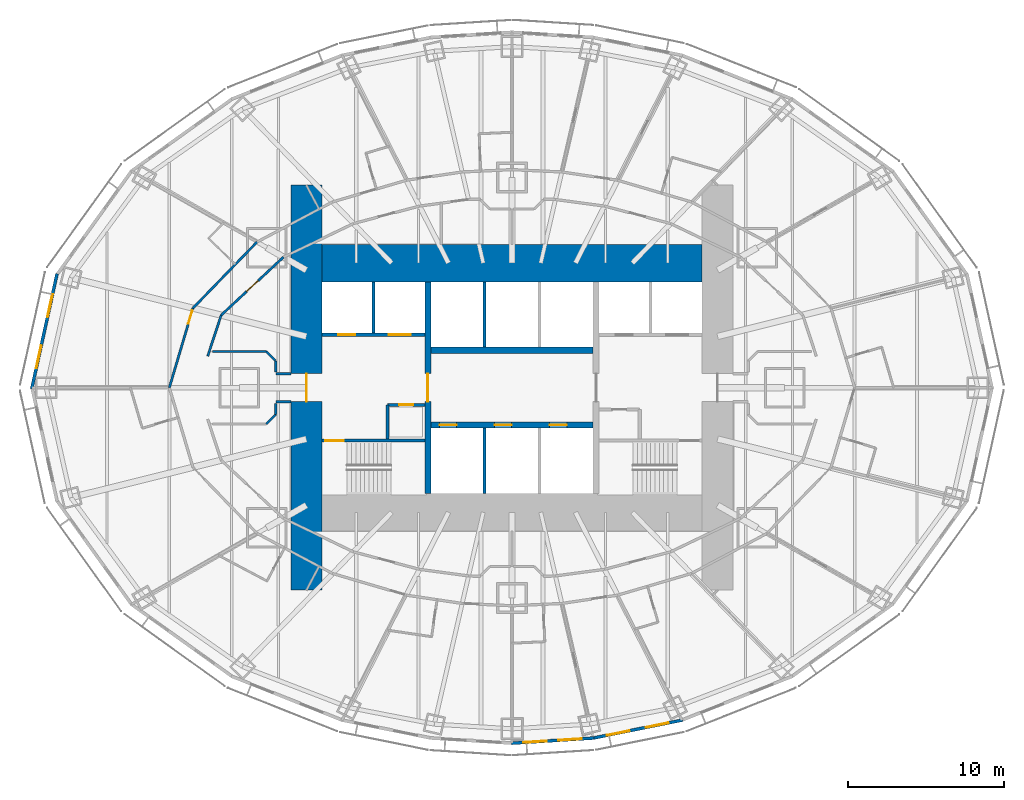
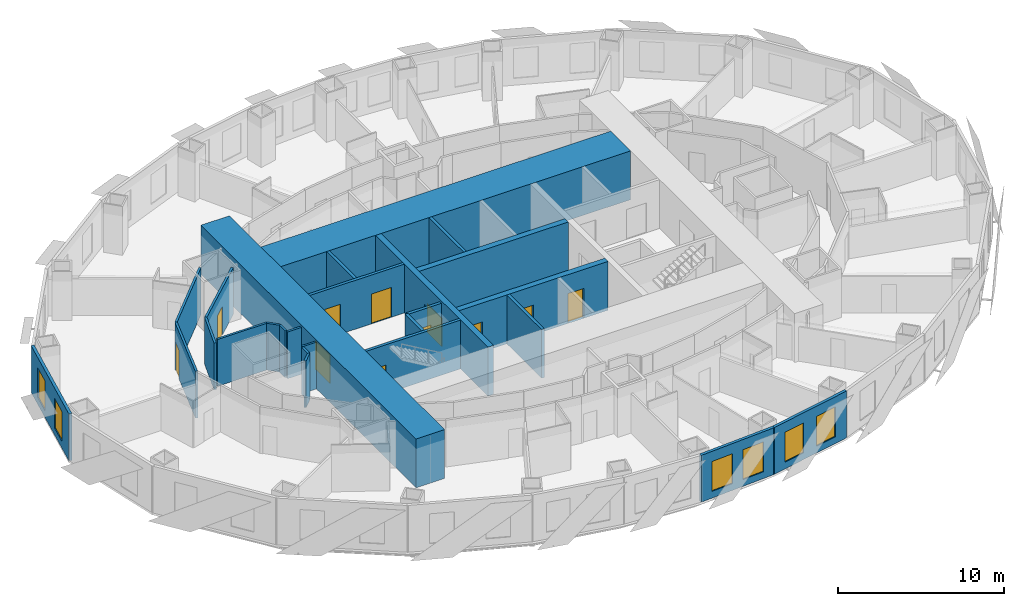
# One storey, part 6 of 15: 26 walls, 11 doors, 6 windows, 17 openings.
"""IFC4 building model written with IfcOpenShell, lengths in metres."""

from ifc_helpers import new_model, si_unit, direction, frame, frame_2d, origin, place, context, subcontext, project, spatial, rectangle, extrude, material, layer, layer_set, type_object, element, fill, save


model = new_model("IFC4")

# Units and contexts
model_context = context("Model", 3, precision=1e-05, world=origin(), true_north=direction((0.0, 1.0)))
body_context = subcontext(model_context, "Body", "Model", "MODEL_VIEW")
ifc_project = project(units=[si_unit("LENGTHUNIT", "METRE"), si_unit("AREAUNIT", "SQUARE_METRE"), si_unit("VOLUMEUNIT", "CUBIC_METRE"), si_unit("PLANEANGLEUNIT", "RADIAN"), si_unit("MASSUNIT", "GRAM", prefix="KILO")], contexts=[model_context])

# Site, building, storey
site_placement = place(None, origin())
site = spatial("IfcSite", under=ifc_project, at=site_placement, CompositionType="ELEMENT")
building_placement = place(site_placement, origin())
building = spatial("IfcBuilding", under=site, at=building_placement, Name="Lantaw Convention Tower", CompositionType="ELEMENT")
storey_placement = place(building_placement, frame((0.0, 0.0, 73.0)))
storey = spatial("IfcBuildingStorey", under=building, at=storey_placement, Name="L16", CompositionType="ELEMENT", Elevation=73.0)

# Wall, opening, door
ifc_material_1 = material(Name="Concrete C60/75", Category="concrete")
ifc_layer_1 = layer(ifc_material_1, 0.199951171875)
ifc_layer_set_1 = layer_set([ifc_layer_1], Name="Core wall 200")
wall_type_1 = type_object("IfcWallType", Name="Core wall 200", PredefinedType="SHEAR", material=ifc_layer_set_1)
wall_1_placement = place(storey_placement, frame((-5.60009765625, -3.39990234375, 0.0), z_axis=(0.0, 0.0, 1.0), x_axis=(-1.0, 0.0, 0.0)))
wall_1 = element("IfcWall", 1, at=wall_1_placement, inside=storey, type_object=wall_type_1, Name="Core wall WS", PredefinedType="SHEAR", context=body_context, shape_type="SweptSolid", body=[
    extrude(rectangle(XDim=6.599853515625, YDim=0.199951171875, at=frame_2d((3.2998046875, 0.0))), origin(), (0.0, 0.0, 1.0), 3.60009765625),
])
opening_1_placement = place(wall_1_placement, frame((5.199951171875, 0.0, 0.0)))
opening_1 = element("IfcOpeningElement", 2, at=opening_1_placement, cuts=wall_1, Name="Opening L16.06", PredefinedType="OPENING", context=body_context, shape_type="SweptSolid", body=[
    extrude(rectangle(XDim=1.199951171875, YDim=2.10009765625, at=frame_2d((0.60009765625, 1.050048828125))), frame((0.0, 0.10986328125, 0.0), z_axis=(0.0, -1.0, 0.0), x_axis=(1.0, 0.0, 0.0)), (0.0, 0.0, 1.0), 0.219970703125),
])
ifc_material_2 = material(Name="Steel, fire rated", Category="steel")
door_type_1 = type_object("IfcDoorType", Name="Stair door FD90", OperationType="SINGLE_SWING_RIGHT", PredefinedType="DOOR", material=ifc_material_2)
door_1_placement = place(opening_1_placement, origin())
door_1 = element("IfcDoor", 3, at=door_1_placement, inside=storey, type_object=door_type_1, Name="Exit stair door", OperationType="SINGLE_SWING_RIGHT", OverallHeight=2.10009765625, OverallWidth=1.199951171875, PredefinedType="DOOR", context=body_context, shape_type="SweptSolid", body=[
    extrude(rectangle(XDim=1.199951171875, YDim=2.10009765625, at=frame_2d((0.60009765625, 1.050048828125))), frame((0.0, 0.02490234375, 0.0), z_axis=(0.0, -1.0, 0.0), x_axis=(1.0, 0.0, 0.0)), (0.0, 0.0, 1.0), 0.050048828125),
])
fill(opening_1, door_1)

ifc_layer_2 = layer(ifc_material_1, 2.0)
ifc_layer_set_2 = layer_set([ifc_layer_2], Name="Core wall 2000")
wall_type_2 = type_object("IfcWallType", Name="Core wall 2000", PredefinedType="SHEAR", material=ifc_layer_set_2)
wall_2_placement = place(storey_placement, frame((-13.199951171875, 13.0, 0.0), z_axis=(0.0, 0.0, 1.0), x_axis=(0.0, -1.0, 0.0)))
wall_2 = element("IfcWall", 4, at=wall_2_placement, inside=storey, type_object=wall_type_2, Name="Core wall W", PredefinedType="SHEAR", context=body_context, shape_type="SweptSolid", body=[
    extrude(rectangle(XDim=26.0, YDim=2.0, at=frame_2d((13.0, 0.0))), origin(), (0.0, 0.0, 1.0), 3.60009765625),
])
opening_2_placement = place(wall_2_placement, frame((12.10009765625, 0.0, 0.0)))
opening_2 = element("IfcOpeningElement", 5, at=opening_2_placement, cuts=wall_2, Name="Opening L16.08", PredefinedType="OPENING", context=body_context, shape_type="SweptSolid", body=[
    extrude(rectangle(XDim=1.800048828125, YDim=2.10009765625, at=frame_2d((0.89990234375, 1.050048828125))), frame((0.0, 1.010009765625, 0.0), z_axis=(0.0, -1.0, 0.0), x_axis=(1.0, 0.0, 0.0)), (0.0, 0.0, 1.0), 2.02001953125),
])
door_type_2 = type_object("IfcDoorType", Name="Lobby double door FD90", OperationType="DOUBLE_DOOR_DOUBLE_SWING", PredefinedType="DOOR", material=ifc_material_2)
door_2_placement = place(opening_2_placement, origin())
door_2 = element("IfcDoor", 6, at=door_2_placement, inside=storey, type_object=door_type_2, Name="Firefighting lobby door", OperationType="DOUBLE_DOOR_DOUBLE_SWING", OverallHeight=2.10009765625, OverallWidth=1.800048828125, PredefinedType="DOOR", context=body_context, shape_type="SweptSolid", body=[
    extrude(rectangle(XDim=1.800048828125, YDim=2.10009765625, at=frame_2d((0.89990234375, 1.050048828125))), frame((0.0, 0.02490234375, 0.0), z_axis=(0.0, -1.0, 0.0), x_axis=(1.0, 0.0, 0.0)), (0.0, 0.0, 1.0), 0.050048828125),
])
fill(opening_2, door_2)

# Wall
ifc_layer_3 = layer(ifc_material_1, 2.39990234375)
ifc_layer_set_3 = layer_set([ifc_layer_3], Name="Core wall 2400")
wall_type_3 = type_object("IfcWallType", Name="Core wall 2400", PredefinedType="SHEAR", material=ifc_layer_set_3)
wall_3_placement = place(storey_placement, frame((12.199951171875, 8.0, 0.0), z_axis=(0.0, 0.0, 1.0), x_axis=(-1.0, 0.0, 0.0)))
element("IfcWall", 7, at=wall_3_placement, inside=storey, type_object=wall_type_3, Name="Core wall N", PredefinedType="SHEAR", context=body_context, shape_type="SweptSolid", body=[
    extrude(rectangle(XDim=24.39990234375, YDim=2.39990234375, at=frame_2d((12.199951171875, 0.0))), origin(), (0.0, 0.0, 1.0), 3.60009765625),
])

# Wall, opening, door
ifc_layer_4 = layer(ifc_material_1, 0.39990234375)
ifc_layer_set_4 = layer_set([ifc_layer_4], Name="Core wall 400")
wall_type_4 = type_object("IfcWallType", Name="Core wall 400", PredefinedType="SHEAR", material=ifc_layer_set_4)
wall_4_placement = place(storey_placement, frame((-5.39990234375, 6.800048828125, 0.0), z_axis=(0.0, 0.0, 1.0), x_axis=(0.0, -1.0, 0.0)))
wall_4 = element("IfcWall", 8, at=wall_4_placement, inside=storey, type_object=wall_type_4, Name="Core wall XW", PredefinedType="SHEAR", context=body_context, shape_type="SweptSolid", body=[
    extrude(rectangle(XDim=13.60009765625, YDim=0.39990234375, at=frame_2d((6.800048828125, 0.0))), origin(), (0.0, 0.0, 1.0), 3.60009765625),
])
opening_3_placement = place(wall_4_placement, frame((5.89990234375, 0.0, 0.0)))
opening_3 = element("IfcOpeningElement", 9, at=opening_3_placement, cuts=wall_4, Name="Opening L16.04", PredefinedType="OPENING", context=body_context, shape_type="SweptSolid", body=[
    extrude(rectangle(XDim=1.800048828125, YDim=2.10009765625, at=frame_2d((0.89990234375, 1.050048828125))), frame((0.0, 0.2099609375, 0.0), z_axis=(0.0, -1.0, 0.0), x_axis=(1.0, 0.0, 0.0)), (0.0, 0.0, 1.0), 0.419921875),
])
door_3_placement = place(opening_3_placement, origin())
door_3 = element("IfcDoor", 10, at=door_3_placement, inside=storey, type_object=door_type_2, Name="Lift lobby door", OperationType="DOUBLE_DOOR_DOUBLE_SWING", OverallHeight=2.10009765625, OverallWidth=1.800048828125, PredefinedType="DOOR", context=body_context, shape_type="SweptSolid", body=[
    extrude(rectangle(XDim=1.800048828125, YDim=2.10009765625, at=frame_2d((0.89990234375, 1.050048828125))), frame((0.0, 0.02490234375, 0.0), z_axis=(0.0, -1.0, 0.0), x_axis=(1.0, 0.0, 0.0)), (0.0, 0.0, 1.0), 0.050048828125),
])
fill(opening_3, door_3)

# Wall, openings, doors
wall_5_placement = place(storey_placement, frame((-5.199951171875, -2.39990234375, 0.0), z_axis=(0.0, 0.0, 1.0), x_axis=(1.0, 0.0, 0.0)))
wall_5 = element("IfcWall", 11, at=wall_5_placement, inside=storey, type_object=wall_type_4, Name="Core wall BS", PredefinedType="SHEAR", context=body_context, shape_type="SweptSolid", body=[
    extrude(rectangle(XDim=10.39990234375, YDim=0.39990234375, at=frame_2d((5.199951171875, 0.0))), origin(), (0.0, 0.0, 1.0), 3.60009765625),
])
opening_4_placement = place(wall_5_placement, frame((0.550048828125, 0.0, 0.0)))
opening_4 = element("IfcOpeningElement", 12, at=opening_4_placement, cuts=wall_5, Name="Opening L16.09", PredefinedType="OPENING", context=body_context, shape_type="SweptSolid", body=[
    extrude(rectangle(XDim=1.10009765625, YDim=2.199951171875, at=frame_2d((0.550048828125, 1.10009765625))), frame((0.0, 0.2099609375, 0.0), z_axis=(0.0, -1.0, 0.0), x_axis=(1.0, 0.0, 0.0)), (0.0, 0.0, 1.0), 0.419921875),
])
opening_5_placement = place(wall_5_placement, frame((4.083251953125, 0.0, 0.0)))
opening_5 = element("IfcOpeningElement", 13, at=opening_5_placement, cuts=wall_5, Name="Opening L16.10", PredefinedType="OPENING", context=body_context, shape_type="SweptSolid", body=[
    extrude(rectangle(XDim=1.10009765625, YDim=2.199951171875, at=frame_2d((0.550048828125, 1.10009765625))), frame((0.0, 0.2099609375, 0.0), z_axis=(0.0, -1.0, 0.0), x_axis=(1.0, 0.0, 0.0)), (0.0, 0.0, 1.0), 0.419921875),
])
opening_6_placement = place(wall_5_placement, frame((7.61669921875, 0.0, 0.0)))
opening_6 = element("IfcOpeningElement", 14, at=opening_6_placement, cuts=wall_5, Name="Opening L16.11", PredefinedType="OPENING", context=body_context, shape_type="SweptSolid", body=[
    extrude(rectangle(XDim=1.10009765625, YDim=2.199951171875, at=frame_2d((0.550048828125, 1.10009765625))), frame((0.0, 0.2099609375, 0.0), z_axis=(0.0, -1.0, 0.0), x_axis=(1.0, 0.0, 0.0)), (0.0, 0.0, 1.0), 0.419921875),
])
ifc_material_3 = material(Name="Stainless steel", Category="steel")
door_type_3 = type_object("IfcDoorType", Name="Lift landing door 1100", OperationType="DOUBLE_DOOR_SLIDING", PredefinedType="DOOR", material=ifc_material_3)
door_4_placement = place(opening_4_placement, origin())
door_4 = element("IfcDoor", 15, at=door_4_placement, inside=storey, type_object=door_type_3, Name="Lift landing door H1", OperationType="DOUBLE_DOOR_SLIDING", OverallHeight=2.199951171875, OverallWidth=1.10009765625, PredefinedType="DOOR", context=body_context, shape_type="SweptSolid", body=[
    extrude(rectangle(XDim=1.10009765625, YDim=2.199951171875, at=frame_2d((0.550048828125, 1.10009765625))), frame((0.0, 0.02490234375, 0.0), z_axis=(0.0, -1.0, 0.0), x_axis=(1.0, 0.0, 0.0)), (0.0, 0.0, 1.0), 0.050048828125),
])
fill(opening_4, door_4)
door_5_placement = place(opening_5_placement, origin())
door_5 = element("IfcDoor", 16, at=door_5_placement, inside=storey, type_object=door_type_3, Name="Lift landing door H2", OperationType="DOUBLE_DOOR_SLIDING", OverallHeight=2.199951171875, OverallWidth=1.10009765625, PredefinedType="DOOR", context=body_context, shape_type="SweptSolid", body=[
    extrude(rectangle(XDim=1.10009765625, YDim=2.199951171875, at=frame_2d((0.550048828125, 1.10009765625))), frame((0.0, 0.02490234375, 0.0), z_axis=(0.0, -1.0, 0.0), x_axis=(1.0, 0.0, 0.0)), (0.0, 0.0, 1.0), 0.050048828125),
])
fill(opening_5, door_5)
door_6_placement = place(opening_6_placement, origin())
door_6 = element("IfcDoor", 17, at=door_6_placement, inside=storey, type_object=door_type_3, Name="Lift landing door H3", OperationType="DOUBLE_DOOR_SLIDING", OverallHeight=2.199951171875, OverallWidth=1.10009765625, PredefinedType="DOOR", context=body_context, shape_type="SweptSolid", body=[
    extrude(rectangle(XDim=1.10009765625, YDim=2.199951171875, at=frame_2d((0.550048828125, 1.10009765625))), frame((0.0, 0.02490234375, 0.0), z_axis=(0.0, -1.0, 0.0), x_axis=(1.0, 0.0, 0.0)), (0.0, 0.0, 1.0), 0.050048828125),
])
fill(opening_6, door_6)

# Walls
wall_6_placement = place(storey_placement, frame((5.199951171875, 2.39990234375, 0.0), z_axis=(0.0, 0.0, 1.0), x_axis=(-1.0, 0.0, 0.0)))
element("IfcWall", 18, at=wall_6_placement, inside=storey, type_object=wall_type_4, Name="Core wall BN", PredefinedType="SHEAR", context=body_context, shape_type="SweptSolid", body=[
    extrude(rectangle(XDim=10.39990234375, YDim=0.39990234375, at=frame_2d((5.199951171875, 0.0))), origin(), (0.0, 0.0, 1.0), 3.60009765625),
])
ifc_material_4 = material(Name="Gypsum board on steel studs, fire rated", Category="steel")
ifc_layer_5 = layer(ifc_material_4, 0.14990234375)
ifc_layer_set_5 = layer_set([ifc_layer_5], Name="Corridor wall 150 EI 60")
wall_type_5 = type_object("IfcWallType", Name="Corridor wall 150 EI 60", PredefinedType="PARTITIONING", material=ifc_layer_set_5)
wall_7_placement = place(storey_placement, frame((-16.369140625, 9.353759765625, 0.0), z_axis=(0.0, 0.0, 1.0), x_axis=(-0.695871090686, -0.71816671125, 0.0)))
element("IfcWall", 19, at=wall_7_placement, inside=storey, type_object=wall_type_5, Name="Corridor wall 150", PredefinedType="PARTITIONING", context=body_context, shape_type="SweptSolid", body=[
    extrude(rectangle(XDim=5.9130859375, YDim=0.14990234375, at=frame_2d((2.95654296875, 0.0))), origin(), (0.0, 0.0, 1.0), 3.449951171875),
])

# Wall, opening, door
wall_8_placement = place(storey_placement, frame((-20.48388671875, 5.107177734375, 0.0), z_axis=(0.0, 0.0, 1.0), x_axis=(-0.284584469409, -0.95865096869, 0.0)))
wall_8 = element("IfcWall", 20, at=wall_8_placement, inside=storey, type_object=wall_type_5, Name="Corridor wall 150", PredefinedType="PARTITIONING", context=body_context, shape_type="SweptSolid", body=[
    extrude(rectangle(XDim=5.327392578125, YDim=0.14990234375, at=frame_2d((2.66357421875, 0.0))), origin(), (0.0, 0.0, 1.0), 3.449951171875),
])
opening_7_placement = place(wall_8_placement, frame((0.14990234375, 0.0, 0.0)))
opening_7 = element("IfcOpeningElement", 21, at=opening_7_placement, cuts=wall_8, Name="Opening L16.38", PredefinedType="OPENING", context=body_context, shape_type="SweptSolid", body=[
    extrude(rectangle(XDim=0.89990234375, YDim=2.10009765625, at=frame_2d((0.449951171875, 1.050048828125))), frame((0.0, 0.0849609375, 0.0), z_axis=(0.0, -1.0, 0.0), x_axis=(1.0, 0.0, 0.0)), (0.0, 0.0, 1.0), 0.169921875),
])
door_type_4 = type_object("IfcDoorType", Name="Guest room entrance door FD30S", OperationType="SINGLE_SWING_LEFT", PredefinedType="DOOR", material=ifc_material_2)
door_7_placement = place(opening_7_placement, origin())
door_7 = element("IfcDoor", 22, at=door_7_placement, inside=storey, type_object=door_type_4, Name="Junior suite entrance door", OperationType="SINGLE_SWING_LEFT", OverallHeight=2.10009765625, OverallWidth=0.89990234375, PredefinedType="DOOR", context=body_context, shape_type="SweptSolid", body=[
    extrude(rectangle(XDim=0.89990234375, YDim=2.10009765625, at=frame_2d((0.449951171875, 1.050048828125))), frame((0.0, 0.02490234375, 0.0), z_axis=(0.0, -1.0, 0.0), x_axis=(1.0, 0.0, 0.0)), (0.0, 0.0, 1.0), 0.050048828125),
])
fill(opening_7, door_7)

wall_9_placement = place(storey_placement, frame((-14.67333984375, 8.384765625, 0.0), z_axis=(0.0, 0.0, 1.0), x_axis=(-0.731260145007, -0.682098673452, 0.0)))
wall_9 = element("IfcWall", 23, at=wall_9_placement, inside=storey, type_object=wall_type_5, Name="Corridor wall 150", PredefinedType="PARTITIONING", context=body_context, shape_type="SweptSolid", body=[
    extrude(rectangle(XDim=5.4677734375, YDim=0.14990234375, at=frame_2d((2.73388671875, 0.0))), origin(), (0.0, 0.0, 1.0), 3.449951171875),
])
opening_8_placement = place(wall_9_placement, frame((2.23388671875, 0.0, 0.0)))
opening_8 = element("IfcOpeningElement", 24, at=opening_8_placement, cuts=wall_9, Name="Opening L16.18", PredefinedType="OPENING", context=body_context, shape_type="SweptSolid", body=[
    extrude(rectangle(XDim=1.0, YDim=2.10009765625, at=frame_2d((0.5, 1.050048828125))), frame((0.0, 0.0849609375, 0.0), z_axis=(0.0, -1.0, 0.0), x_axis=(1.0, 0.0, 0.0)), (0.0, 0.0, 1.0), 0.169921875),
])
door_type_5 = type_object("IfcDoorType", Name="Service door 1000 FD30", OperationType="SINGLE_SWING_LEFT", PredefinedType="DOOR", material=ifc_material_2)
door_8_placement = place(opening_8_placement, origin())
door_8 = element("IfcDoor", 25, at=door_8_placement, inside=storey, type_object=door_type_5, Name="Housekeeping room door", OperationType="SINGLE_SWING_LEFT", OverallHeight=2.10009765625, OverallWidth=1.0, PredefinedType="DOOR", context=body_context, shape_type="SweptSolid", body=[
    extrude(rectangle(XDim=1.0, YDim=2.10009765625, at=frame_2d((0.5, 1.050048828125))), frame((0.0, 0.02490234375, 0.0), z_axis=(0.0, -1.0, 0.0), x_axis=(1.0, 0.0, 0.0)), (0.0, 0.0, 1.0), 0.050048828125),
])
fill(opening_8, door_8)

# Walls
wall_10_placement = place(storey_placement, frame((-18.671630859375, 4.6552734375, 0.0), z_axis=(0.0, 0.0, 1.0), x_axis=(-0.311929965981, -0.950105097515, 0.0)))
element("IfcWall", 26, at=wall_10_placement, inside=storey, type_object=wall_type_5, Name="Corridor wall 150", PredefinedType="PARTITIONING", context=body_context, shape_type="SweptSolid", body=[
    extrude(rectangle(XDim=2.762939453125, YDim=0.14990234375, at=frame_2d((1.38134765625, 0.0))), origin(), (0.0, 0.0, 1.0), 3.449951171875),
])
for number, where, z_axis, x_axis, name in (
    (27, (-14.199951171875, -0.89990234375, 0.0), (0.0, 0.0, 1.0), (-1.0, 0.0, 0.0), "Corridor wall 150"),
    (28, (-14.199951171875, 0.89990234375, 0.0), (0.0, 0.0, 1.0), (-1.0, 0.0, 0.0), "Corridor wall 150"),
):
    element("IfcWall", number, at=place(storey_placement, frame(where, z_axis=z_axis, x_axis=x_axis)), inside=storey, type_object=wall_type_5, Name=name, PredefinedType="PARTITIONING", context=body_context, shape_type="SweptSolid", body=[
        extrude(rectangle(XDim=0.965087890625, YDim=0.14990234375, at=frame_2d((0.482421875, 0.0))), origin(), (0.0, 0.0, 1.0), 3.449951171875),
    ])
wall_11_placement = place(storey_placement, frame((-19.224609375, 2.324951171875, 0.0), z_axis=(0.0, 0.0, 1.0), x_axis=(1.0, 0.0, 0.0)))
element("IfcWall", 29, at=wall_11_placement, inside=storey, type_object=wall_type_5, Name="Corridor wall 150", PredefinedType="PARTITIONING", context=body_context, shape_type="SweptSolid", body=[
    extrude(rectangle(XDim=3.44921875, YDim=0.14990234375, at=frame_2d((1.724609375, 0.0))), origin(), (0.0, 0.0, 1.0), 3.449951171875),
])
wall_12_placement = place(storey_placement, frame((-15.775390625, 2.324951171875, 0.0), z_axis=(0.0, 0.0, 1.0), x_axis=(0.707106781187, -0.707106781187, 0.0)))
element("IfcWall", 30, at=wall_12_placement, inside=storey, type_object=wall_type_5, Name="Corridor wall 150", PredefinedType="PARTITIONING", context=body_context, shape_type="SweptSolid", body=[
    extrude(rectangle(XDim=0.84912109375, YDim=0.14990234375, at=frame_2d((0.424560546875, 0.0))), origin(), (0.0, 0.0, 1.0), 3.449951171875),
])
for number, where, z_axis, x_axis, name in (
    (31, (-15.175048828125, 1.724609375, 0.0), (0.0, 0.0, 1.0), (0.0, -1.0, 0.0), "Corridor wall 150"),
    (32, (-15.175048828125, -1.003173828125, 0.0), (0.0, 0.0, 1.0), (0.0, -1.0, 0.0), "Corridor wall 150"),
):
    element("IfcWall", number, at=place(storey_placement, frame(where, z_axis=z_axis, x_axis=x_axis)), inside=storey, type_object=wall_type_5, Name=name, PredefinedType="PARTITIONING", context=body_context, shape_type="SweptSolid", body=[
        extrude(rectangle(XDim=0.721435546875, YDim=0.14990234375, at=frame_2d((0.36083984375, 0.0))), origin(), (0.0, 0.0, 1.0), 3.449951171875),
    ])
wall_13_placement = place(storey_placement, frame((-15.175048828125, -1.724609375, 0.0), z_axis=(0.0, 0.0, 1.0), x_axis=(-0.707106781187, -0.707106781187, 0.0)))
element("IfcWall", 33, at=wall_13_placement, inside=storey, type_object=wall_type_5, Name="Corridor wall 150", PredefinedType="PARTITIONING", context=body_context, shape_type="SweptSolid", body=[
    extrude(rectangle(XDim=0.84912109375, YDim=0.14990234375, at=frame_2d((0.424560546875, 0.0))), origin(), (0.0, 0.0, 1.0), 3.449951171875),
])

# Wall, openings, windows
ifc_material_5 = material(Name="Insulated aluminium panel on steel frame", Category="steel")
ifc_layer_6 = layer(ifc_material_5, 0.199951171875)
ifc_layer_set_6 = layer_set([ifc_layer_6], Name="External wall 200")
wall_type_6 = type_object("IfcWallType", Name="External wall 200", PredefinedType="SOLIDWALL", material=ifc_layer_set_6)
wall_14_placement = place(storey_placement, frame((-29.207763671875, 7.318115234375, 0.0), z_axis=(0.0, 0.0, 1.0), x_axis=(-0.215238065514, -0.976561608478, 0.0)))
wall_14 = element("IfcWall", 34, at=wall_14_placement, inside=storey, type_object=wall_type_6, Name="Facade panel wall", PredefinedType="SOLIDWALL", context=body_context, shape_type="SweptSolid", body=[
    extrude(rectangle(XDim=7.562255859375, YDim=0.199951171875, at=frame_2d((3.78125, 0.0))), origin(), (0.0, 0.0, 1.0), 3.449951171875),
])
opening_9_placement = place(wall_14_placement, frame((1.340576171875, 0.0, 0.5)))
opening_9 = element("IfcOpeningElement", 35, at=opening_9_placement, cuts=wall_14, Name="Opening W2", PredefinedType="OPENING", context=body_context, shape_type="SweptSolid", body=[
    extrude(rectangle(XDim=1.5, YDim=2.199951171875, at=frame_2d((0.75, 1.10009765625))), frame((0.0, 0.10986328125, 0.0), z_axis=(0.0, -1.0, 0.0), x_axis=(1.0, 0.0, 0.0)), (0.0, 0.0, 1.0), 0.219970703125),
])
opening_10_placement = place(wall_14_placement, frame((4.7216796875, 0.0, 0.5)))
opening_10 = element("IfcOpeningElement", 36, at=opening_10_placement, cuts=wall_14, Name="Opening W2", PredefinedType="OPENING", context=body_context, shape_type="SweptSolid", body=[
    extrude(rectangle(XDim=1.5, YDim=2.199951171875, at=frame_2d((0.75, 1.10009765625))), frame((0.0, 0.10986328125, 0.0), z_axis=(0.0, -1.0, 0.0), x_axis=(1.0, 0.0, 0.0)), (0.0, 0.0, 1.0), 0.219970703125),
])
ifc_material_6 = material(Name="Aluminium frame, clear insulating glass", Category="aluminium")
window_type = type_object("IfcWindowType", Name="Suite window 1500x2200", PartitioningType="SINGLE_PANEL", PredefinedType="WINDOW", material=ifc_material_6)
window_1_placement = place(opening_9_placement, origin())
window_1 = element("IfcWindow", 37, at=window_1_placement, inside=storey, type_object=window_type, Name="Guest room window", OverallHeight=2.199951171875, OverallWidth=1.5, PartitioningType="SINGLE_PANEL", PredefinedType="WINDOW", context=body_context, shape_type="SweptSolid", body=[
    extrude(rectangle(XDim=1.5, YDim=2.199951171875, at=frame_2d((0.75, 1.10009765625))), frame((0.0, 0.030029296875, 0.0), z_axis=(0.0, -1.0, 0.0), x_axis=(1.0, 0.0, 0.0)), (0.0, 0.0, 1.0), 0.06005859375),
])
fill(opening_9, window_1)
window_2_placement = place(opening_10_placement, origin())
window_2 = element("IfcWindow", 38, at=window_2_placement, inside=storey, type_object=window_type, Name="Guest room window", OverallHeight=2.199951171875, OverallWidth=1.5, PartitioningType="SINGLE_PANEL", PredefinedType="WINDOW", context=body_context, shape_type="SweptSolid", body=[
    extrude(rectangle(XDim=1.5, YDim=2.199951171875, at=frame_2d((0.75, 1.10009765625))), frame((0.0, 0.030029296875, 0.0), z_axis=(0.0, -1.0, 0.0), x_axis=(1.0, 0.0, 0.0)), (0.0, 0.0, 1.0), 0.06005859375),
])
fill(opening_10, window_2)

wall_15_placement = place(storey_placement, frame((-0.041015625, -22.8271484375, 0.0), z_axis=(0.0, 0.0, 1.0), x_axis=(0.998018582375, 0.062919863585, 0.0)))
wall_15 = element("IfcWall", 39, at=wall_15_placement, inside=storey, type_object=wall_type_6, Name="Facade panel wall", PredefinedType="SOLIDWALL", context=body_context, shape_type="SweptSolid", body=[
    extrude(rectangle(XDim=5.30419921875, YDim=0.199951171875, at=frame_2d((2.652099609375, 0.0))), origin(), (0.0, 0.0, 1.0), 3.449951171875),
])
opening_11_placement = place(wall_15_placement, frame((0.77587890625, 0.0, 0.5)))
opening_11 = element("IfcOpeningElement", 40, at=opening_11_placement, cuts=wall_15, Name="Opening W2", PredefinedType="OPENING", context=body_context, shape_type="SweptSolid", body=[
    extrude(rectangle(XDim=1.5, YDim=2.199951171875, at=frame_2d((0.75, 1.10009765625))), frame((0.0, 0.10986328125, 0.0), z_axis=(0.0, -1.0, 0.0), x_axis=(1.0, 0.0, 0.0)), (0.0, 0.0, 1.0), 0.219970703125),
])
opening_12_placement = place(wall_15_placement, frame((3.028076171875, 0.0, 0.5)))
opening_12 = element("IfcOpeningElement", 41, at=opening_12_placement, cuts=wall_15, Name="Opening W2", PredefinedType="OPENING", context=body_context, shape_type="SweptSolid", body=[
    extrude(rectangle(XDim=1.5, YDim=2.199951171875, at=frame_2d((0.75, 1.10009765625))), frame((0.0, 0.10986328125, 0.0), z_axis=(0.0, -1.0, 0.0), x_axis=(1.0, 0.0, 0.0)), (0.0, 0.0, 1.0), 0.219970703125),
])
window_3_placement = place(opening_11_placement, origin())
window_3 = element("IfcWindow", 42, at=window_3_placement, inside=storey, type_object=window_type, Name="Guest room window", OverallHeight=2.199951171875, OverallWidth=1.5, PartitioningType="SINGLE_PANEL", PredefinedType="WINDOW", context=body_context, shape_type="SweptSolid", body=[
    extrude(rectangle(XDim=1.5, YDim=2.199951171875, at=frame_2d((0.75, 1.10009765625))), frame((0.0, 0.030029296875, 0.0), z_axis=(0.0, -1.0, 0.0), x_axis=(1.0, 0.0, 0.0)), (0.0, 0.0, 1.0), 0.06005859375),
])
fill(opening_11, window_3)
window_4_placement = place(opening_12_placement, origin())
window_4 = element("IfcWindow", 43, at=window_4_placement, inside=storey, type_object=window_type, Name="Guest room window", OverallHeight=2.199951171875, OverallWidth=1.5, PartitioningType="SINGLE_PANEL", PredefinedType="WINDOW", context=body_context, shape_type="SweptSolid", body=[
    extrude(rectangle(XDim=1.5, YDim=2.199951171875, at=frame_2d((0.75, 1.10009765625))), frame((0.0, 0.030029296875, 0.0), z_axis=(0.0, -1.0, 0.0), x_axis=(1.0, 0.0, 0.0)), (0.0, 0.0, 1.0), 0.06005859375),
])
fill(opening_12, window_4)

wall_16_placement = place(storey_placement, frame((5.169677734375, -22.504150390625, 0.0), z_axis=(0.0, 0.0, 1.0), x_axis=(0.980251657452, 0.197754110105, 0.0)))
wall_16 = element("IfcWall", 44, at=wall_16_placement, inside=storey, type_object=wall_type_6, Name="Facade panel wall", PredefinedType="SOLIDWALL", context=body_context, shape_type="SweptSolid", body=[
    extrude(rectangle(XDim=5.90380859375, YDim=0.199951171875, at=frame_2d((2.951904296875, 0.0))), origin(), (0.0, 0.0, 1.0), 3.449951171875),
])
opening_13_placement = place(wall_16_placement, frame((0.92578125, 0.0, 0.5)))
opening_13 = element("IfcOpeningElement", 45, at=opening_13_placement, cuts=wall_16, Name="Opening W2", PredefinedType="OPENING", context=body_context, shape_type="SweptSolid", body=[
    extrude(rectangle(XDim=1.5, YDim=2.199951171875, at=frame_2d((0.75, 1.10009765625))), frame((0.0, 0.10986328125, 0.0), z_axis=(0.0, -1.0, 0.0), x_axis=(1.0, 0.0, 0.0)), (0.0, 0.0, 1.0), 0.219970703125),
])
opening_14_placement = place(wall_16_placement, frame((3.477783203125, 0.0, 0.5)))
opening_14 = element("IfcOpeningElement", 46, at=opening_14_placement, cuts=wall_16, Name="Opening W2", PredefinedType="OPENING", context=body_context, shape_type="SweptSolid", body=[
    extrude(rectangle(XDim=1.5, YDim=2.199951171875, at=frame_2d((0.75, 1.10009765625))), frame((0.0, 0.10986328125, 0.0), z_axis=(0.0, -1.0, 0.0), x_axis=(1.0, 0.0, 0.0)), (0.0, 0.0, 1.0), 0.219970703125),
])
window_5_placement = place(opening_13_placement, origin())
window_5 = element("IfcWindow", 47, at=window_5_placement, inside=storey, type_object=window_type, Name="Guest room window", OverallHeight=2.199951171875, OverallWidth=1.5, PartitioningType="SINGLE_PANEL", PredefinedType="WINDOW", context=body_context, shape_type="SweptSolid", body=[
    extrude(rectangle(XDim=1.5, YDim=2.199951171875, at=frame_2d((0.75, 1.10009765625))), frame((0.0, 0.030029296875, 0.0), z_axis=(0.0, -1.0, 0.0), x_axis=(1.0, 0.0, 0.0)), (0.0, 0.0, 1.0), 0.06005859375),
])
fill(opening_13, window_5)
window_6_placement = place(opening_14_placement, origin())
window_6 = element("IfcWindow", 48, at=window_6_placement, inside=storey, type_object=window_type, Name="Guest room window", OverallHeight=2.199951171875, OverallWidth=1.5, PartitioningType="SINGLE_PANEL", PredefinedType="WINDOW", context=body_context, shape_type="SweptSolid", body=[
    extrude(rectangle(XDim=1.5, YDim=2.199951171875, at=frame_2d((0.75, 1.10009765625))), frame((0.0, 0.030029296875, 0.0), z_axis=(0.0, -1.0, 0.0), x_axis=(1.0, 0.0, 0.0)), (0.0, 0.0, 1.0), 0.06005859375),
])
fill(opening_14, window_6)

# Wall, opening, door
ifc_material_7 = material(Name="Concrete blockwork, fire rated", Category="masonry")
ifc_layer_7 = layer(ifc_material_7, 0.199951171875)
ifc_layer_set_7 = layer_set([ifc_layer_7], Name="Plant room wall 200 EI 120")
wall_type_7 = type_object("IfcWallType", Name="Plant room wall 200 EI 120", PredefinedType="SOLIDWALL", material=ifc_layer_set_7)
wall_17_placement = place(storey_placement, frame((-5.60009765625, -1.10009765625, 0.0), z_axis=(0.0, 0.0, 1.0), x_axis=(-1.0, 0.0, 0.0)))
wall_17 = element("IfcWall", 49, at=wall_17_placement, inside=storey, type_object=wall_type_7, Name="Plant room wall 200", PredefinedType="SOLIDWALL", context=body_context, shape_type="SweptSolid", body=[
    extrude(rectangle(XDim=2.39990234375, YDim=0.199951171875, at=frame_2d((1.199951171875, 0.0))), origin(), (0.0, 0.0, 1.0), 3.449951171875),
])
opening_15_placement = place(wall_17_placement, frame((0.75, 0.0, 0.0)))
opening_15 = element("IfcOpeningElement", 50, at=opening_15_placement, cuts=wall_17, Name="Opening L16.01", PredefinedType="OPENING", context=body_context, shape_type="SweptSolid", body=[
    extrude(rectangle(XDim=0.89990234375, YDim=2.10009765625, at=frame_2d((0.449951171875, 1.050048828125))), frame((0.0, 0.10986328125, 0.0), z_axis=(0.0, -1.0, 0.0), x_axis=(1.0, 0.0, 0.0)), (0.0, 0.0, 1.0), 0.219970703125),
])
door_type_6 = type_object("IfcDoorType", Name="Service door 900 FD60", OperationType="SINGLE_SWING_LEFT", PredefinedType="DOOR", material=ifc_material_2)
door_9_placement = place(opening_15_placement, origin())
door_9 = element("IfcDoor", 51, at=door_9_placement, inside=storey, type_object=door_type_6, Name="Housekeeping pantry door", OperationType="SINGLE_SWING_LEFT", OverallHeight=2.10009765625, OverallWidth=0.89990234375, PredefinedType="DOOR", context=body_context, shape_type="SweptSolid", body=[
    extrude(rectangle(XDim=0.89990234375, YDim=2.10009765625, at=frame_2d((0.449951171875, 1.050048828125))), frame((0.0, 0.02490234375, 0.0), z_axis=(0.0, -1.0, 0.0), x_axis=(1.0, 0.0, 0.0)), (0.0, 0.0, 1.0), 0.050048828125),
])
fill(opening_15, door_9)

# Walls
wall_18_placement = place(storey_placement, frame((-8.0, -1.10009765625, 0.0), z_axis=(0.0, 0.0, 1.0), x_axis=(0.0, -1.0, 0.0)))
element("IfcWall", 52, at=wall_18_placement, inside=storey, type_object=wall_type_7, Name="Plant room wall 200", PredefinedType="SOLIDWALL", context=body_context, shape_type="SweptSolid", body=[
    extrude(rectangle(XDim=2.199951171875, YDim=0.199951171875, at=frame_2d((1.10009765625, 0.0))), origin(), (0.0, 0.0, 1.0), 3.449951171875),
])
ifc_layer_8 = layer(ifc_material_7, 0.199951171875)
ifc_layer_set_8 = layer_set([ifc_layer_8], Name="Shaft wall 200")
wall_type_8 = type_object("IfcWallType", Name="Shaft wall 200", PredefinedType="SOLIDWALL", material=ifc_layer_set_8)
wall_19_placement = place(storey_placement, frame((-1.7666015625, 2.60009765625, 0.0), z_axis=(0.0, 0.0, 1.0), x_axis=(0.0, 1.0, 0.0)))
element("IfcWall", 53, at=wall_19_placement, inside=storey, type_object=wall_type_8, Name="Shaft wall DN1", PredefinedType="SOLIDWALL", context=body_context, shape_type="SweptSolid", body=[
    extrude(rectangle(XDim=4.199951171875, YDim=0.199951171875, at=frame_2d((2.10009765625, 0.0))), origin(), (0.0, 0.0, 1.0), 3.60009765625),
])

# Wall, openings, doors
wall_20_placement = place(storey_placement, frame((-12.199951171875, 3.39990234375, 0.0), z_axis=(0.0, 0.0, 1.0), x_axis=(1.0, 0.0, 0.0)))
wall_20 = element("IfcWall", 54, at=wall_20_placement, inside=storey, type_object=wall_type_8, Name="Shaft wall WN", PredefinedType="SOLIDWALL", context=body_context, shape_type="SweptSolid", body=[
    extrude(rectangle(XDim=6.599853515625, YDim=0.199951171875, at=frame_2d((3.2998046875, 0.0))), origin(), (0.0, 0.0, 1.0), 3.60009765625),
])
opening_16_placement = place(wall_20_placement, frame((1.050048828125, 0.0, 0.0)))
opening_16 = element("IfcOpeningElement", 55, at=opening_16_placement, cuts=wall_20, Name="Opening L16.12", PredefinedType="OPENING", context=body_context, shape_type="SweptSolid", body=[
    extrude(rectangle(XDim=1.10009765625, YDim=2.199951171875, at=frame_2d((0.550048828125, 1.10009765625))), frame((0.0, 0.10986328125, 0.0), z_axis=(0.0, -1.0, 0.0), x_axis=(1.0, 0.0, 0.0)), (0.0, 0.0, 1.0), 0.219970703125),
])
opening_17_placement = place(wall_20_placement, frame((4.300048828125, 0.0, 0.0)))
opening_17 = element("IfcOpeningElement", 56, at=opening_17_placement, cuts=wall_20, Name="Opening L16.13", PredefinedType="OPENING", context=body_context, shape_type="SweptSolid", body=[
    extrude(rectangle(XDim=1.39990234375, YDim=2.199951171875, at=frame_2d((0.699951171875, 1.10009765625))), frame((0.0, 0.10986328125, 0.0), z_axis=(0.0, -1.0, 0.0), x_axis=(1.0, 0.0, 0.0)), (0.0, 0.0, 1.0), 0.219970703125),
])
door_10_placement = place(opening_16_placement, origin())
door_10 = element("IfcDoor", 57, at=door_10_placement, inside=storey, type_object=door_type_3, Name="Lift landing door FF1", OperationType="DOUBLE_DOOR_SLIDING", OverallHeight=2.199951171875, OverallWidth=1.10009765625, PredefinedType="DOOR", context=body_context, shape_type="SweptSolid", body=[
    extrude(rectangle(XDim=1.10009765625, YDim=2.199951171875, at=frame_2d((0.550048828125, 1.10009765625))), frame((0.0, 0.02490234375, 0.0), z_axis=(0.0, -1.0, 0.0), x_axis=(1.0, 0.0, 0.0)), (0.0, 0.0, 1.0), 0.050048828125),
])
fill(opening_16, door_10)
door_type_7 = type_object("IfcDoorType", Name="Lift landing door 1400", OperationType="DOUBLE_DOOR_SLIDING", PredefinedType="DOOR", material=ifc_material_3)
door_11_placement = place(opening_17_placement, origin())
door_11 = element("IfcDoor", 58, at=door_11_placement, inside=storey, type_object=door_type_7, Name="Lift landing door SV1", OperationType="DOUBLE_DOOR_SLIDING", OverallHeight=2.199951171875, OverallWidth=1.39990234375, PredefinedType="DOOR", context=body_context, shape_type="SweptSolid", body=[
    extrude(rectangle(XDim=1.39990234375, YDim=2.199951171875, at=frame_2d((0.699951171875, 1.10009765625))), frame((0.0, 0.02490234375, 0.0), z_axis=(0.0, -1.0, 0.0), x_axis=(1.0, 0.0, 0.0)), (0.0, 0.0, 1.0), 0.050048828125),
])
fill(opening_17, door_11)

# Walls
wall_21_placement = place(storey_placement, frame((-8.89990234375, 3.5, 0.0), z_axis=(0.0, 0.0, 1.0), x_axis=(0.0, 1.0, 0.0)))
element("IfcWall", 59, at=wall_21_placement, inside=storey, type_object=wall_type_8, Name="Shaft wall WD", PredefinedType="SOLIDWALL", context=body_context, shape_type="SweptSolid", body=[
    extrude(rectangle(XDim=3.300048828125, YDim=0.199951171875, at=frame_2d((1.64990234375, 0.0))), origin(), (0.0, 0.0, 1.0), 3.60009765625),
])
ifc_layer_9 = layer(ifc_material_7, 0.199951171875)
ifc_layer_set_9 = layer_set([ifc_layer_9], Name="Shaft wall 200 load-bearing")
wall_type_9 = type_object("IfcWallType", Name="Shaft wall 200 load-bearing", PredefinedType="SOLIDWALL", material=ifc_layer_set_9)
wall_22_placement = place(storey_placement, frame((-1.7666015625, -2.60009765625, 0.0), z_axis=(0.0, 0.0, 1.0), x_axis=(0.0, -1.0, 0.0)))
element("IfcWall", 60, at=wall_22_placement, inside=storey, type_object=wall_type_9, Name="Shaft wall DS1", PredefinedType="SOLIDWALL", context=body_context, shape_type="SweptSolid", body=[
    extrude(rectangle(XDim=4.199951171875, YDim=0.199951171875, at=frame_2d((2.10009765625, 0.0))), origin(), (0.0, 0.0, 1.0), 3.60009765625),
])

save(model, "model.ifc")
